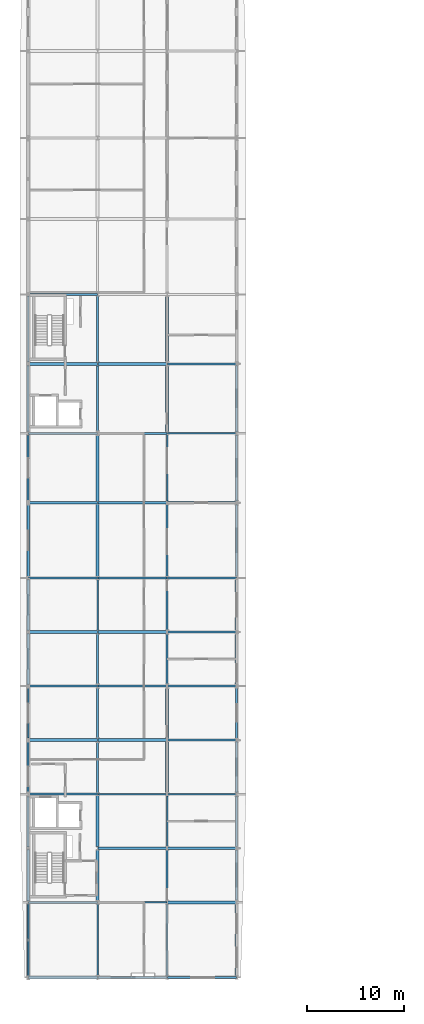
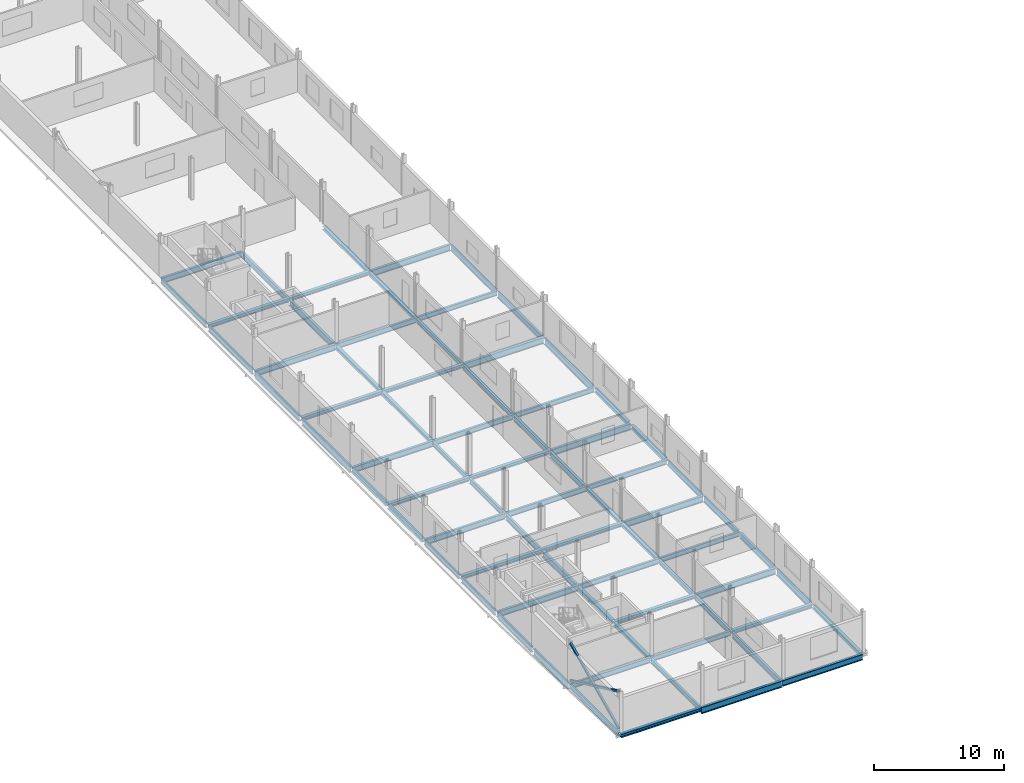
# One storey, part 9 of 30: 76 beams, 3 members.
"""IFC4 building model written with IfcOpenShell, lengths in metres."""

from ifc_helpers import new_model, si_unit, direction, frame, origin, origin_2d, place, context, subcontext, project, spatial, hollow_rectangle, i_section, extrude, material, material_profile, profile_set, type_object, element, save


model = new_model("IFC4")

# Units and contexts
model_context = context("Model", 3, precision=1e-05, world=origin(), true_north=direction((0.0, 1.0)))
body_context = subcontext(model_context, "Body", "Model", "MODEL_VIEW")
ifc_project = project(units=[si_unit("LENGTHUNIT", "METRE"), si_unit("AREAUNIT", "SQUARE_METRE"), si_unit("VOLUMEUNIT", "CUBIC_METRE"), si_unit("PLANEANGLEUNIT", "RADIAN"), si_unit("MASSUNIT", "GRAM", prefix="KILO")], contexts=[model_context])

# Site, building, storey
site_placement = place(None, origin())
site = spatial("IfcSite", under=ifc_project, at=site_placement, CompositionType="ELEMENT")
building_placement = place(site_placement, origin())
building = spatial("IfcBuilding", under=site, at=building_placement, Name="Vinh Khe Railworks Police Headquarters", CompositionType="ELEMENT")
storey_placement = place(building_placement, frame((0.0, 0.0, 21.0)))
storey = spatial("IfcBuildingStorey", under=building, at=storey_placement, Name="L05", CompositionType="ELEMENT", Elevation=21.0)

# Members
ifc_material = material(Name="Steel S355JR", Category="steel")
ifc_material_profile_1 = material_profile(ifc_material, hollow_rectangle(XDim=0.179931640625, YDim=0.179931640625, WallThickness=0.010009765625, at=origin_2d()), Name="SHS 180x180x10")
ifc_profile_set_1 = profile_set([ifc_material_profile_1], Name="Steel S355JR")
member_type = type_object("IfcMemberType", Name="Concentric Brace SHS 180x180x10", PredefinedType="BRACE", material=ifc_profile_set_1)
member_placement = place(storey_placement, frame((0.60009765625, 17.580078125, 0.199951171875), z_axis=(0.0, 0.905312283981, 0.424746593244), x_axis=(-1.0, 0.0, 0.0)))
element("IfcMember", 1, at=member_placement, inside=storey, type_object=member_type, Name="Continuous Concentric Brace MEM-BR-L05-BR-03-016", PredefinedType="BRACE", context=body_context, shape_type="SweptSolid", body=[
    extrude(hollow_rectangle(XDim=0.179931640625, YDim=0.179931640625, WallThickness=0.010009765625, at=origin_2d()), origin(), (0.0, 0.0, 1.0), 8.240234375),
])
for number, where, z_axis, x_axis, name in (
    (2, (0.60009765625, 17.580078125, 3.699951171875), (0.0, 0.905316889598, -0.424736776615), (-1.0, 0.0, 0.0), "Split X-Brace Segment MEM-BR-L05-BR-03-017 (2A)"),
    (3, (0.60009765625, 21.394775390625, 1.91015625), (0.0, 0.905316889598, -0.424736776615), (-1.0, 0.0, 0.0), "Split X-Brace Segment MEM-BR-L05-BR-03-018 (2B)"),
):
    element("IfcMember", number, at=place(storey_placement, frame(where, z_axis=z_axis, x_axis=x_axis)), inside=storey, type_object=member_type, Name=name, PredefinedType="BRACE", context=body_context, shape_type="SweptSolid", body=[
        extrude(hollow_rectangle(XDim=0.179931640625, YDim=0.179931640625, WallThickness=0.010009765625, at=origin_2d()), origin(), (0.0, 0.0, 1.0), 4.026611328125),
    ])

# Beams
ifc_material_profile_2 = material_profile(ifc_material, i_section(OverallWidth=0.300048828125, OverallDepth=0.330078125, WebThickness=0.009521484375, FlangeThickness=0.0166015625, FilletRadius=0.027099609375, at=origin_2d()), Name="HEA 340")
ifc_profile_set_2 = profile_set([ifc_material_profile_2], Name="Steel S355JR")
beam_type_1 = type_object("IfcBeamType", Name="Steel Girder HEA 340", PredefinedType="BEAM", material=ifc_profile_set_2)
for number, where, z_axis, x_axis, name in (
    (4, (0.6201171875, 17.39990234375, -0.364990234375), (1.0, 0.0, 0.0), (0.0, 1.0, 0.0), "Girder BM-L05-EW-SB-16-1496"),
    (5, (7.820068359375, 30.800048828125, -0.364990234375), (1.0, 0.0, 0.0), (0.0, 1.0, 0.0), "Girder BM-L05-EW-SB-16-1502"),
    (6, (7.820068359375, 42.0, -0.364990234375), (1.0, 0.0, 0.0), (0.0, 1.0, 0.0), "Girder BM-L05-EW-SB-16-1508"),
    (7, (7.820068359375, 53.199951171875, -0.364990234375), (1.0, 0.0, 0.0), (0.0, 1.0, 0.0), "Girder BM-L05-EW-SB-16-1514"),
    (8, (7.820068359375, 66.60009765625, -0.364990234375), (1.0, 0.0, 0.0), (0.0, 1.0, 0.0), "Girder BM-L05-EW-SB-16-1520"),
    (9, (7.820068359375, 81.0, -0.364990234375), (1.0, 0.0, 0.0), (0.0, 1.0, 0.0), "Girder BM-L05-EW-SB-16-1526"),
):
    element("IfcBeam", number, at=place(storey_placement, frame(where, z_axis=z_axis, x_axis=x_axis)), inside=storey, type_object=beam_type_1, Name=name, PredefinedType="BEAM", context=body_context, shape_type="SweptSolid", body=[
        extrude(i_section(OverallWidth=0.300048828125, OverallDepth=0.330078125, WebThickness=0.009521484375, FlangeThickness=0.0166015625, FilletRadius=0.027099609375, at=origin_2d()), origin(), (0.0, 0.0, 1.0), 7.159912109375),
    ])
beam_1_placement = place(storey_placement, frame((0.60009765625, 17.580078125, -0.364990234375), z_axis=(0.0, 1.0, 0.0), x_axis=(-1.0, 0.0, 0.0)))
element("IfcBeam", 10, at=beam_1_placement, inside=storey, type_object=beam_type_1, Name="Girder BM-L05-NS-SB-16-1574", PredefinedType="BEAM", context=body_context, shape_type="SweptSolid", body=[
    extrude(i_section(OverallWidth=0.300048828125, OverallDepth=0.330078125, WebThickness=0.009521484375, FlangeThickness=0.0166015625, FilletRadius=0.027099609375, at=origin_2d()), origin(), (0.0, 0.0, 1.0), 7.4599609375),
])
beam_2_placement = place(storey_placement, frame((0.60009765625, 53.360107421875, -0.364990234375), z_axis=(0.0, 1.0, 0.0), x_axis=(-1.0, 0.0, 0.0)))
element("IfcBeam", 11, at=beam_2_placement, inside=storey, type_object=beam_type_1, Name="Girder BM-L05-NS-SB-16-1580", PredefinedType="BEAM", context=body_context, shape_type="SweptSolid", body=[
    extrude(i_section(OverallWidth=0.300048828125, OverallDepth=0.330078125, WebThickness=0.009521484375, FlangeThickness=0.0166015625, FilletRadius=0.027099609375, at=origin_2d()), origin(), (0.0, 0.0, 1.0), 5.289794921875),
])
beam_3_placement = place(storey_placement, frame((7.800048828125, 30.9599609375, -0.364990234375), z_axis=(0.0, 1.0, 0.0), x_axis=(-1.0, 0.0, 0.0)))
element("IfcBeam", 12, at=beam_3_placement, inside=storey, type_object=beam_type_1, Name="Girder BM-L05-NS-SB-16-1592", PredefinedType="BEAM", context=body_context, shape_type="SweptSolid", body=[
    extrude(i_section(OverallWidth=0.300048828125, OverallDepth=0.330078125, WebThickness=0.009521484375, FlangeThickness=0.0166015625, FilletRadius=0.027099609375, at=origin_2d()), origin(), (0.0, 0.0, 1.0), 5.2900390625),
])
beam_4_placement = place(storey_placement, frame((7.800048828125, 66.75, -0.364990234375), z_axis=(0.0, 1.0, 0.0), x_axis=(-1.0, 0.0, 0.0)))
element("IfcBeam", 13, at=beam_4_placement, inside=storey, type_object=beam_type_1, Name="Girder BM-L05-NS-SB-16-1598", PredefinedType="BEAM", context=body_context, shape_type="SweptSolid", body=[
    extrude(i_section(OverallWidth=0.300048828125, OverallDepth=0.330078125, WebThickness=0.009521484375, FlangeThickness=0.0166015625, FilletRadius=0.027099609375, at=origin_2d()), origin(), (0.0, 0.0, 1.0), 6.820068359375),
])
beam_5_placement = place(storey_placement, frame((15.0, 42.14990234375, -0.364990234375), z_axis=(0.0, 1.0, 0.0), x_axis=(-1.0, 0.0, 0.0)))
element("IfcBeam", 14, at=beam_5_placement, inside=storey, type_object=beam_type_1, Name="Girder BM-L05-NS-SB-16-1610", PredefinedType="BEAM", context=body_context, shape_type="SweptSolid", body=[
    extrude(i_section(OverallWidth=0.300048828125, OverallDepth=0.330078125, WebThickness=0.009521484375, FlangeThickness=0.0166015625, FilletRadius=0.027099609375, at=origin_2d()), origin(), (0.0, 0.0, 1.0), 5.22021484375),
])
beam_6_placement = place(storey_placement, frame((15.0, 81.22998046875, -0.364990234375), z_axis=(0.0, 1.0, 0.0), x_axis=(-1.0, 0.0, 0.0)))
element("IfcBeam", 15, at=beam_6_placement, inside=storey, type_object=beam_type_1, Name="Girder BM-L05-NS-SB-16-1616", PredefinedType="BEAM", context=body_context, shape_type="SweptSolid", body=[
    extrude(i_section(OverallWidth=0.300048828125, OverallDepth=0.330078125, WebThickness=0.009521484375, FlangeThickness=0.0166015625, FilletRadius=0.027099609375, at=origin_2d()), origin(), (0.0, 0.0, 1.0), 6.76513671875),
])
beam_7_placement = place(storey_placement, frame((22.199951171875, 17.550048828125, -0.364990234375), z_axis=(0.0, 1.0, 0.0), x_axis=(-1.0, 0.0, 0.0)))
element("IfcBeam", 16, at=beam_7_placement, inside=storey, type_object=beam_type_1, Name="Girder BM-L05-NS-SB-16-1622", PredefinedType="BEAM", context=body_context, shape_type="SweptSolid", body=[
    extrude(i_section(OverallWidth=0.300048828125, OverallDepth=0.330078125, WebThickness=0.009521484375, FlangeThickness=0.0166015625, FilletRadius=0.027099609375, at=origin_2d()), origin(), (0.0, 0.0, 1.0), 7.419921875),
])
beam_8_placement = place(storey_placement, frame((22.199951171875, 53.429931640625, -0.364990234375), z_axis=(0.0, 1.0, 0.0), x_axis=(-1.0, 0.0, 0.0)))
element("IfcBeam", 17, at=beam_8_placement, inside=storey, type_object=beam_type_1, Name="Girder BM-L05-NS-SB-16-1628", PredefinedType="BEAM", context=body_context, shape_type="SweptSolid", body=[
    extrude(i_section(OverallWidth=0.300048828125, OverallDepth=0.330078125, WebThickness=0.009521484375, FlangeThickness=0.0166015625, FilletRadius=0.027099609375, at=origin_2d()), origin(), (0.0, 0.0, 1.0), 5.1650390625),
])
ifc_material_profile_3 = material_profile(ifc_material, i_section(OverallWidth=0.300048828125, OverallDepth=0.35009765625, WebThickness=0.010009765625, FlangeThickness=0.017578125, FilletRadius=0.027099609375, at=origin_2d()), Name="HEA 360")
ifc_profile_set_3 = profile_set([ifc_material_profile_3], Name="Steel S355JR")
beam_type_2 = type_object("IfcBeamType", Name="Steel Girder HEA 360", PredefinedType="BEAM", material=ifc_profile_set_3)
for number, where, z_axis, x_axis, name in (
    (18, (15.02001953125, 25.199951171875, -0.375), (1.0, 0.0, 0.0), (0.0, 1.0, 0.0), "Girder BM-L05-EW-SB-15-1501"),
    (19, (0.6201171875, 42.0, -0.375), (1.0, 0.0, 0.0), (0.0, 1.0, 0.0), "Girder BM-L05-EW-SB-15-1507"),
    (20, (0.6201171875, 53.199951171875, -0.375), (1.0, 0.0, 0.0), (0.0, 1.0, 0.0), "Girder BM-L05-EW-SB-15-1513"),
    (21, (0.6201171875, 66.60009765625, -0.375), (1.0, 0.0, 0.0), (0.0, 1.0, 0.0), "Girder BM-L05-EW-SB-15-1519"),
    (22, (0.6201171875, 81.0, -0.375), (1.0, 0.0, 0.0), (0.0, 1.0, 0.0), "Girder BM-L05-EW-SB-15-1525"),
):
    element("IfcBeam", number, at=place(storey_placement, frame(where, z_axis=z_axis, x_axis=x_axis)), inside=storey, type_object=beam_type_2, Name=name, PredefinedType="BEAM", context=body_context, shape_type="SweptSolid", body=[
        extrude(i_section(OverallWidth=0.300048828125, OverallDepth=0.35009765625, WebThickness=0.010009765625, FlangeThickness=0.017578125, FilletRadius=0.027099609375, at=origin_2d()), origin(), (0.0, 0.0, 1.0), 7.159912109375),
    ])
for number, where, z_axis, x_axis, name in (
    (23, (0.60009765625, 47.780029296875, -0.375), (0.0, 1.0, 0.0), (-1.0, 0.0, 0.0), "Girder BM-L05-NS-SB-15-1579"),
    (24, (7.800048828125, 25.3798828125, -0.375), (0.0, 1.0, 0.0), (-1.0, 0.0, 0.0), "Girder BM-L05-NS-SB-15-1591"),
):
    element("IfcBeam", number, at=place(storey_placement, frame(where, z_axis=z_axis, x_axis=x_axis)), inside=storey, type_object=beam_type_2, Name=name, PredefinedType="BEAM", context=body_context, shape_type="SweptSolid", body=[
        extrude(i_section(OverallWidth=0.300048828125, OverallDepth=0.35009765625, WebThickness=0.010009765625, FlangeThickness=0.017578125, FilletRadius=0.027099609375, at=origin_2d()), origin(), (0.0, 0.0, 1.0), 5.260009765625),
    ])
beam_9_placement = place(storey_placement, frame((7.800048828125, 58.9599609375, -0.375), z_axis=(0.0, 1.0, 0.0), x_axis=(-1.0, 0.0, 0.0)))
element("IfcBeam", 25, at=beam_9_placement, inside=storey, type_object=beam_type_2, Name="Girder BM-L05-NS-SB-15-1597", PredefinedType="BEAM", context=body_context, shape_type="SweptSolid", body=[
    extrude(i_section(OverallWidth=0.300048828125, OverallDepth=0.35009765625, WebThickness=0.010009765625, FlangeThickness=0.017578125, FilletRadius=0.027099609375, at=origin_2d()), origin(), (0.0, 0.0, 1.0), 7.489990234375),
])
beam_10_placement = place(storey_placement, frame((15.0, 36.56005859375, -0.375), z_axis=(0.0, 1.0, 0.0), x_axis=(-1.0, 0.0, 0.0)))
element("IfcBeam", 26, at=beam_10_placement, inside=storey, type_object=beam_type_2, Name="Girder BM-L05-NS-SB-15-1609", PredefinedType="BEAM", context=body_context, shape_type="SweptSolid", body=[
    extrude(i_section(OverallWidth=0.300048828125, OverallDepth=0.35009765625, WebThickness=0.010009765625, FlangeThickness=0.017578125, FilletRadius=0.027099609375, at=origin_2d()), origin(), (0.0, 0.0, 1.0), 5.2900390625),
])
beam_11_placement = place(storey_placement, frame((15.0, 73.949951171875, -0.375), z_axis=(0.0, 1.0, 0.0), x_axis=(-1.0, 0.0, 0.0)))
element("IfcBeam", 27, at=beam_11_placement, inside=storey, type_object=beam_type_2, Name="Girder BM-L05-NS-SB-15-1615", PredefinedType="BEAM", context=body_context, shape_type="SweptSolid", body=[
    extrude(i_section(OverallWidth=0.300048828125, OverallDepth=0.35009765625, WebThickness=0.010009765625, FlangeThickness=0.017578125, FilletRadius=0.027099609375, at=origin_2d()), origin(), (0.0, 0.0, 1.0), 6.820068359375),
])
beam_12_placement = place(storey_placement, frame((22.199951171875, 47.75, -0.375), z_axis=(0.0, 1.0, 0.0), x_axis=(-1.0, 0.0, 0.0)))
element("IfcBeam", 28, at=beam_12_placement, inside=storey, type_object=beam_type_2, Name="Girder BM-L05-NS-SB-15-1627", PredefinedType="BEAM", context=body_context, shape_type="SweptSolid", body=[
    extrude(i_section(OverallWidth=0.300048828125, OverallDepth=0.35009765625, WebThickness=0.010009765625, FlangeThickness=0.017578125, FilletRadius=0.027099609375, at=origin_2d()), origin(), (0.0, 0.0, 1.0), 5.219970703125),
])
ifc_material_profile_4 = material_profile(ifc_material, i_section(OverallWidth=0.18994140625, OverallDepth=0.449951171875, WebThickness=0.009521484375, FlangeThickness=0.0146484375, FilletRadius=0.02099609375, at=origin_2d()), Name="IPE 450")
ifc_profile_set_4 = profile_set([ifc_material_profile_4], Name="Steel S355JR")
beam_type_3 = type_object("IfcBeamType", Name="Steel Girder IPE 450", PredefinedType="BEAM", material=ifc_profile_set_4)
for number, where, z_axis, x_axis, name in (
    (29, (7.820068359375, 25.199951171875, -0.425048828125), (1.0, 0.0, 0.0), (0.0, 1.0, 0.0), "Girder BM-L05-EW-SB-20-1500"),
    (30, (15.02001953125, 36.39990234375, -0.425048828125), (1.0, 0.0, 0.0), (0.0, 1.0, 0.0), "Girder BM-L05-EW-SB-20-1506"),
    (31, (15.02001953125, 47.60009765625, -0.425048828125), (1.0, 0.0, 0.0), (0.0, 1.0, 0.0), "Girder BM-L05-EW-SB-20-1512"),
    (32, (15.02001953125, 58.800048828125, -0.425048828125), (1.0, 0.0, 0.0), (0.0, 1.0, 0.0), "Girder BM-L05-EW-SB-20-1518"),
    (33, (15.02001953125, 73.800048828125, -0.425048828125), (1.0, 0.0, 0.0), (0.0, 1.0, 0.0), "Girder BM-L05-EW-SB-20-1524"),
):
    element("IfcBeam", number, at=place(storey_placement, frame(where, z_axis=z_axis, x_axis=x_axis)), inside=storey, type_object=beam_type_3, Name=name, PredefinedType="BEAM", context=body_context, shape_type="SweptSolid", body=[
        extrude(i_section(OverallWidth=0.18994140625, OverallDepth=0.449951171875, WebThickness=0.009521484375, FlangeThickness=0.0146484375, FilletRadius=0.02099609375, at=origin_2d()), origin(), (0.0, 0.0, 1.0), 7.159912109375),
    ])
beam_13_placement = place(storey_placement, frame((0.60009765625, 42.205078125, -0.425048828125), z_axis=(0.0, 1.0, 0.0), x_axis=(-1.0, 0.0, 0.0)))
element("IfcBeam", 34, at=beam_13_placement, inside=storey, type_object=beam_type_3, Name="Girder BM-L05-NS-SB-20-1578", PredefinedType="BEAM", context=body_context, shape_type="SweptSolid", body=[
    extrude(i_section(OverallWidth=0.18994140625, OverallDepth=0.449951171875, WebThickness=0.009521484375, FlangeThickness=0.0146484375, FilletRadius=0.02099609375, at=origin_2d()), origin(), (0.0, 0.0, 1.0), 5.21484375),
])
beam_14_placement = place(storey_placement, frame((0.60009765625, 81.179931640625, -0.425048828125), z_axis=(0.0, 1.0, 0.0), x_axis=(-1.0, 0.0, 0.0)))
element("IfcBeam", 35, at=beam_14_placement, inside=storey, type_object=beam_type_3, Name="Girder BM-L05-NS-SB-20-1584", PredefinedType="BEAM", context=body_context, shape_type="SweptSolid", body=[
    extrude(i_section(OverallWidth=0.18994140625, OverallDepth=0.449951171875, WebThickness=0.009521484375, FlangeThickness=0.0146484375, FilletRadius=0.02099609375, at=origin_2d()), origin(), (0.0, 0.0, 1.0), 6.860107421875),
])
beam_15_placement = place(storey_placement, frame((7.800048828125, 17.60498046875, -0.425048828125), z_axis=(0.0, 1.0, 0.0), x_axis=(-1.0, 0.0, 0.0)))
element("IfcBeam", 36, at=beam_15_placement, inside=storey, type_object=beam_type_3, Name="Girder BM-L05-NS-SB-20-1590", PredefinedType="BEAM", context=body_context, shape_type="SweptSolid", body=[
    extrude(i_section(OverallWidth=0.18994140625, OverallDepth=0.449951171875, WebThickness=0.009521484375, FlangeThickness=0.0146484375, FilletRadius=0.02099609375, at=origin_2d()), origin(), (0.0, 0.0, 1.0), 7.4150390625),
])
for number, where, z_axis, x_axis, name in (
    (37, (7.800048828125, 53.3798828125, -0.425048828125), (0.0, 1.0, 0.0), (-1.0, 0.0, 0.0), "Girder BM-L05-NS-SB-20-1596"),
    (38, (15.0, 30.97998046875, -0.425048828125), (0.0, 1.0, 0.0), (-1.0, 0.0, 0.0), "Girder BM-L05-NS-SB-20-1608"),
):
    element("IfcBeam", number, at=place(storey_placement, frame(where, z_axis=z_axis, x_axis=x_axis)), inside=storey, type_object=beam_type_3, Name=name, PredefinedType="BEAM", context=body_context, shape_type="SweptSolid", body=[
        extrude(i_section(OverallWidth=0.18994140625, OverallDepth=0.449951171875, WebThickness=0.009521484375, FlangeThickness=0.0146484375, FilletRadius=0.02099609375, at=origin_2d()), origin(), (0.0, 0.0, 1.0), 5.260009765625),
    ])
beam_16_placement = place(storey_placement, frame((15.0, 66.760009765625, -0.425048828125), z_axis=(0.0, 1.0, 0.0), x_axis=(-1.0, 0.0, 0.0)))
element("IfcBeam", 39, at=beam_16_placement, inside=storey, type_object=beam_type_3, Name="Girder BM-L05-NS-SB-20-1614", PredefinedType="BEAM", context=body_context, shape_type="SweptSolid", body=[
    extrude(i_section(OverallWidth=0.18994140625, OverallDepth=0.449951171875, WebThickness=0.009521484375, FlangeThickness=0.0146484375, FilletRadius=0.02099609375, at=origin_2d()), origin(), (0.0, 0.0, 1.0), 6.889892578125),
])
beam_17_placement = place(storey_placement, frame((22.199951171875, 42.159912109375, -0.425048828125), z_axis=(0.0, 1.0, 0.0), x_axis=(-1.0, 0.0, 0.0)))
element("IfcBeam", 40, at=beam_17_placement, inside=storey, type_object=beam_type_3, Name="Girder BM-L05-NS-SB-20-1626", PredefinedType="BEAM", context=body_context, shape_type="SweptSolid", body=[
    extrude(i_section(OverallWidth=0.18994140625, OverallDepth=0.449951171875, WebThickness=0.009521484375, FlangeThickness=0.0146484375, FilletRadius=0.02099609375, at=origin_2d()), origin(), (0.0, 0.0, 1.0), 5.2900390625),
])
ifc_material_profile_5 = material_profile(ifc_material, i_section(OverallWidth=0.199951171875, OverallDepth=0.5, WebThickness=0.01025390625, FlangeThickness=0.01611328125, FilletRadius=0.02099609375, at=origin_2d()), Name="IPE 500")
ifc_profile_set_5 = profile_set([ifc_material_profile_5], Name="Steel S355JR")
beam_type_4 = type_object("IfcBeamType", Name="Steel Girder IPE 500", PredefinedType="BEAM", material=ifc_profile_set_5)
for number, where, z_axis, x_axis, name in (
    (41, (0.6201171875, 25.199951171875, -0.449951171875), (1.0, 0.0, 0.0), (0.0, 1.0, 0.0), "Girder BM-L05-EW-SB-19-1499"),
    (42, (7.820068359375, 36.39990234375, -0.449951171875), (1.0, 0.0, 0.0), (0.0, 1.0, 0.0), "Girder BM-L05-EW-SB-19-1505"),
    (43, (7.820068359375, 47.60009765625, -0.449951171875), (1.0, 0.0, 0.0), (0.0, 1.0, 0.0), "Girder BM-L05-EW-SB-19-1511"),
    (44, (7.820068359375, 58.800048828125, -0.449951171875), (1.0, 0.0, 0.0), (0.0, 1.0, 0.0), "Girder BM-L05-EW-SB-19-1517"),
    (45, (7.820068359375, 73.800048828125, -0.449951171875), (1.0, 0.0, 0.0), (0.0, 1.0, 0.0), "Girder BM-L05-EW-SB-19-1523"),
):
    element("IfcBeam", number, at=place(storey_placement, frame(where, z_axis=z_axis, x_axis=x_axis)), inside=storey, type_object=beam_type_4, Name=name, PredefinedType="BEAM", context=body_context, shape_type="SweptSolid", body=[
        extrude(i_section(OverallWidth=0.199951171875, OverallDepth=0.5, WebThickness=0.01025390625, FlangeThickness=0.01611328125, FilletRadius=0.02099609375, at=origin_2d()), origin(), (0.0, 0.0, 1.0), 7.159912109375),
    ])
beam_18_placement = place(storey_placement, frame((0.60009765625, 36.6298828125, -0.449951171875), z_axis=(0.0, 1.0, 0.0), x_axis=(-1.0, 0.0, 0.0)))
element("IfcBeam", 46, at=beam_18_placement, inside=storey, type_object=beam_type_4, Name="Girder BM-L05-NS-SB-19-1577", PredefinedType="BEAM", context=body_context, shape_type="SweptSolid", body=[
    extrude(i_section(OverallWidth=0.199951171875, OverallDepth=0.5, WebThickness=0.01025390625, FlangeThickness=0.01611328125, FilletRadius=0.02099609375, at=origin_2d()), origin(), (0.0, 0.0, 1.0), 5.1650390625),
])
beam_19_placement = place(storey_placement, frame((0.60009765625, 74.0048828125, -0.449951171875), z_axis=(0.0, 1.0, 0.0), x_axis=(-1.0, 0.0, 0.0)))
element("IfcBeam", 47, at=beam_19_placement, inside=storey, type_object=beam_type_4, Name="Girder BM-L05-NS-SB-19-1583", PredefinedType="BEAM", context=body_context, shape_type="SweptSolid", body=[
    extrude(i_section(OverallWidth=0.199951171875, OverallDepth=0.5, WebThickness=0.01025390625, FlangeThickness=0.01611328125, FilletRadius=0.02099609375, at=origin_2d()), origin(), (0.0, 0.0, 1.0), 6.815185546875),
])
for number, where, z_axis, x_axis, name in (
    (48, (7.800048828125, 47.804931640625, -0.449951171875), (0.0, 1.0, 0.0), (-1.0, 0.0, 0.0), "Girder BM-L05-NS-SB-19-1595"),
    (49, (15.0, 25.405029296875, -0.449951171875), (0.0, 1.0, 0.0), (-1.0, 0.0, 0.0), "Girder BM-L05-NS-SB-19-1607"),
):
    element("IfcBeam", number, at=place(storey_placement, frame(where, z_axis=z_axis, x_axis=x_axis)), inside=storey, type_object=beam_type_4, Name=name, PredefinedType="BEAM", context=body_context, shape_type="SweptSolid", body=[
        extrude(i_section(OverallWidth=0.199951171875, OverallDepth=0.5, WebThickness=0.01025390625, FlangeThickness=0.01611328125, FilletRadius=0.02099609375, at=origin_2d()), origin(), (0.0, 0.0, 1.0), 5.215087890625),
    ])
beam_20_placement = place(storey_placement, frame((15.0, 58.97998046875, -0.449951171875), z_axis=(0.0, 1.0, 0.0), x_axis=(-1.0, 0.0, 0.0)))
element("IfcBeam", 50, at=beam_20_placement, inside=storey, type_object=beam_type_4, Name="Girder BM-L05-NS-SB-19-1613", PredefinedType="BEAM", context=body_context, shape_type="SweptSolid", body=[
    extrude(i_section(OverallWidth=0.199951171875, OverallDepth=0.5, WebThickness=0.01025390625, FlangeThickness=0.01611328125, FilletRadius=0.02099609375, at=origin_2d()), origin(), (0.0, 0.0, 1.0), 7.4599609375),
])
beam_21_placement = place(storey_placement, frame((22.199951171875, 36.580078125, -0.449951171875), z_axis=(0.0, 1.0, 0.0), x_axis=(-1.0, 0.0, 0.0)))
element("IfcBeam", 51, at=beam_21_placement, inside=storey, type_object=beam_type_4, Name="Girder BM-L05-NS-SB-19-1625", PredefinedType="BEAM", context=body_context, shape_type="SweptSolid", body=[
    extrude(i_section(OverallWidth=0.199951171875, OverallDepth=0.5, WebThickness=0.01025390625, FlangeThickness=0.01611328125, FilletRadius=0.02099609375, at=origin_2d()), origin(), (0.0, 0.0, 1.0), 5.260009765625),
])
beam_22_placement = place(storey_placement, frame((22.199951171875, 73.9599609375, -0.449951171875), z_axis=(0.0, 1.0, 0.0), x_axis=(-1.0, 0.0, 0.0)))
element("IfcBeam", 52, at=beam_22_placement, inside=storey, type_object=beam_type_4, Name="Girder BM-L05-NS-SB-19-1631", PredefinedType="BEAM", context=body_context, shape_type="SweptSolid", body=[
    extrude(i_section(OverallWidth=0.199951171875, OverallDepth=0.5, WebThickness=0.01025390625, FlangeThickness=0.01611328125, FilletRadius=0.02099609375, at=origin_2d()), origin(), (0.0, 0.0, 1.0), 6.89013671875),
])
ifc_material_profile_6 = material_profile(ifc_material, i_section(OverallWidth=0.2099609375, OverallDepth=0.550048828125, WebThickness=0.010986328125, FlangeThickness=0.01708984375, FilletRadius=0.02392578125, at=origin_2d()), Name="IPE 550")
ifc_profile_set_6 = profile_set([ifc_material_profile_6], Name="Steel S355JR")
beam_type_5 = type_object("IfcBeamType", Name="Steel Girder IPE 550", PredefinedType="BEAM", material=ifc_profile_set_6)
for number, where, z_axis, x_axis, name in (
    (53, (15.02001953125, 17.39990234375, -0.47509765625), (1.0, 0.0, 0.0), (0.0, 1.0, 0.0), "Girder BM-L05-EW-SB-18-1498"),
    (54, (0.6201171875, 36.39990234375, -0.47509765625), (1.0, 0.0, 0.0), (0.0, 1.0, 0.0), "Girder BM-L05-EW-SB-18-1504"),
    (55, (0.6201171875, 47.60009765625, -0.47509765625), (1.0, 0.0, 0.0), (0.0, 1.0, 0.0), "Girder BM-L05-EW-SB-18-1510"),
    (56, (0.6201171875, 58.800048828125, -0.47509765625), (1.0, 0.0, 0.0), (0.0, 1.0, 0.0), "Girder BM-L05-EW-SB-18-1516"),
    (57, (0.6201171875, 73.800048828125, -0.47509765625), (1.0, 0.0, 0.0), (0.0, 1.0, 0.0), "Girder BM-L05-EW-SB-18-1522"),
    (58, (0.6201171875, 88.199951171875, -0.47509765625), (1.0, 0.0, 0.0), (0.0, 1.0, 0.0), "Girder BM-L05-EW-SB-18-1528"),
):
    element("IfcBeam", number, at=place(storey_placement, frame(where, z_axis=z_axis, x_axis=x_axis)), inside=storey, type_object=beam_type_5, Name=name, PredefinedType="BEAM", context=body_context, shape_type="SweptSolid", body=[
        extrude(i_section(OverallWidth=0.2099609375, OverallDepth=0.550048828125, WebThickness=0.010986328125, FlangeThickness=0.01708984375, FilletRadius=0.02392578125, at=origin_2d()), origin(), (0.0, 0.0, 1.0), 7.159912109375),
    ])
beam_23_placement = place(storey_placement, frame((0.60009765625, 30.949951171875, -0.47509765625), z_axis=(0.0, 1.0, 0.0), x_axis=(-1.0, 0.0, 0.0)))
element("IfcBeam", 59, at=beam_23_placement, inside=storey, type_object=beam_type_5, Name="Girder BM-L05-NS-SB-18-1576", PredefinedType="BEAM", context=body_context, shape_type="SweptSolid", body=[
    extrude(i_section(OverallWidth=0.2099609375, OverallDepth=0.550048828125, WebThickness=0.010986328125, FlangeThickness=0.01708984375, FilletRadius=0.02392578125, at=origin_2d()), origin(), (0.0, 0.0, 1.0), 5.219970703125),
])
beam_24_placement = place(storey_placement, frame((0.60009765625, 66.830078125, -0.47509765625), z_axis=(0.0, 1.0, 0.0), x_axis=(-1.0, 0.0, 0.0)))
element("IfcBeam", 60, at=beam_24_placement, inside=storey, type_object=beam_type_5, Name="Girder BM-L05-NS-SB-18-1582", PredefinedType="BEAM", context=body_context, shape_type="SweptSolid", body=[
    extrude(i_section(OverallWidth=0.2099609375, OverallDepth=0.550048828125, WebThickness=0.010986328125, FlangeThickness=0.01708984375, FilletRadius=0.02392578125, at=origin_2d()), origin(), (0.0, 0.0, 1.0), 6.764892578125),
])
beam_25_placement = place(storey_placement, frame((7.800048828125, 42.22998046875, -0.47509765625), z_axis=(0.0, 1.0, 0.0), x_axis=(-1.0, 0.0, 0.0)))
element("IfcBeam", 61, at=beam_25_placement, inside=storey, type_object=beam_type_5, Name="Girder BM-L05-NS-SB-18-1594", PredefinedType="BEAM", context=body_context, shape_type="SweptSolid", body=[
    extrude(i_section(OverallWidth=0.2099609375, OverallDepth=0.550048828125, WebThickness=0.010986328125, FlangeThickness=0.01708984375, FilletRadius=0.02392578125, at=origin_2d()), origin(), (0.0, 0.0, 1.0), 5.1650390625),
])
beam_26_placement = place(storey_placement, frame((7.800048828125, 81.205078125, -0.47509765625), z_axis=(0.0, 1.0, 0.0), x_axis=(-1.0, 0.0, 0.0)))
element("IfcBeam", 62, at=beam_26_placement, inside=storey, type_object=beam_type_5, Name="Girder BM-L05-NS-SB-18-1600", PredefinedType="BEAM", context=body_context, shape_type="SweptSolid", body=[
    extrude(i_section(OverallWidth=0.2099609375, OverallDepth=0.550048828125, WebThickness=0.010986328125, FlangeThickness=0.01708984375, FilletRadius=0.02392578125, at=origin_2d()), origin(), (0.0, 0.0, 1.0), 6.81494140625),
])
beam_27_placement = place(storey_placement, frame((15.0, 17.6298828125, -0.47509765625), z_axis=(0.0, 1.0, 0.0), x_axis=(-1.0, 0.0, 0.0)))
element("IfcBeam", 63, at=beam_27_placement, inside=storey, type_object=beam_type_5, Name="Girder BM-L05-NS-SB-18-1606", PredefinedType="BEAM", context=body_context, shape_type="SweptSolid", body=[
    extrude(i_section(OverallWidth=0.2099609375, OverallDepth=0.550048828125, WebThickness=0.010986328125, FlangeThickness=0.01708984375, FilletRadius=0.02392578125, at=origin_2d()), origin(), (0.0, 0.0, 1.0), 7.365234375),
])
for number, where, z_axis, x_axis, name in (
    (64, (15.0, 53.405029296875, -0.47509765625), (0.0, 1.0, 0.0), (-1.0, 0.0, 0.0), "Girder BM-L05-NS-SB-18-1612"),
    (65, (22.199951171875, 31.0048828125, -0.47509765625), (0.0, 1.0, 0.0), (-1.0, 0.0, 0.0), "Girder BM-L05-NS-SB-18-1624"),
):
    element("IfcBeam", number, at=place(storey_placement, frame(where, z_axis=z_axis, x_axis=x_axis)), inside=storey, type_object=beam_type_5, Name=name, PredefinedType="BEAM", context=body_context, shape_type="SweptSolid", body=[
        extrude(i_section(OverallWidth=0.2099609375, OverallDepth=0.550048828125, WebThickness=0.010986328125, FlangeThickness=0.01708984375, FilletRadius=0.02392578125, at=origin_2d()), origin(), (0.0, 0.0, 1.0), 5.215087890625),
    ])
beam_28_placement = place(storey_placement, frame((22.199951171875, 66.780029296875, -0.47509765625), z_axis=(0.0, 1.0, 0.0), x_axis=(-1.0, 0.0, 0.0)))
element("IfcBeam", 66, at=beam_28_placement, inside=storey, type_object=beam_type_5, Name="Girder BM-L05-NS-SB-18-1630", PredefinedType="BEAM", context=body_context, shape_type="SweptSolid", body=[
    extrude(i_section(OverallWidth=0.2099609375, OverallDepth=0.550048828125, WebThickness=0.010986328125, FlangeThickness=0.01708984375, FilletRadius=0.02392578125, at=origin_2d()), origin(), (0.0, 0.0, 1.0), 6.85986328125),
])
ifc_material_profile_7 = material_profile(ifc_material, i_section(OverallWidth=0.219970703125, OverallDepth=0.60009765625, WebThickness=0.011962890625, FlangeThickness=0.01904296875, FilletRadius=0.02392578125, at=origin_2d()), Name="IPE 600")
ifc_profile_set_7 = profile_set([ifc_material_profile_7], Name="Steel S355JR")
beam_type_6 = type_object("IfcBeamType", Name="Steel Girder IPE 600", PredefinedType="BEAM", material=ifc_profile_set_7)
for number, where, z_axis, x_axis, name in (
    (67, (7.820068359375, 17.39990234375, -0.5), (1.0, 0.0, 0.0), (0.0, 1.0, 0.0), "Girder BM-L05-EW-SB-17-1497"),
    (68, (15.02001953125, 30.800048828125, -0.5), (1.0, 0.0, 0.0), (0.0, 1.0, 0.0), "Girder BM-L05-EW-SB-17-1503"),
    (69, (15.02001953125, 42.0, -0.5), (1.0, 0.0, 0.0), (0.0, 1.0, 0.0), "Girder BM-L05-EW-SB-17-1509"),
    (70, (15.02001953125, 53.199951171875, -0.5), (1.0, 0.0, 0.0), (0.0, 1.0, 0.0), "Girder BM-L05-EW-SB-17-1515"),
    (71, (15.02001953125, 66.60009765625, -0.5), (1.0, 0.0, 0.0), (0.0, 1.0, 0.0), "Girder BM-L05-EW-SB-17-1521"),
    (72, (15.02001953125, 81.0, -0.5), (1.0, 0.0, 0.0), (0.0, 1.0, 0.0), "Girder BM-L05-EW-SB-17-1527"),
):
    element("IfcBeam", number, at=place(storey_placement, frame(where, z_axis=z_axis, x_axis=x_axis)), inside=storey, type_object=beam_type_6, Name=name, PredefinedType="BEAM", context=body_context, shape_type="SweptSolid", body=[
        extrude(i_section(OverallWidth=0.219970703125, OverallDepth=0.60009765625, WebThickness=0.011962890625, FlangeThickness=0.01904296875, FilletRadius=0.02392578125, at=origin_2d()), origin(), (0.0, 0.0, 1.0), 7.159912109375),
    ])
beam_29_placement = place(storey_placement, frame((0.60009765625, 25.360107421875, -0.5), z_axis=(0.0, 1.0, 0.0), x_axis=(-1.0, 0.0, 0.0)))
element("IfcBeam", 73, at=beam_29_placement, inside=storey, type_object=beam_type_6, Name="Girder BM-L05-NS-SB-17-1575", PredefinedType="BEAM", context=body_context, shape_type="SweptSolid", body=[
    extrude(i_section(OverallWidth=0.219970703125, OverallDepth=0.60009765625, WebThickness=0.011962890625, FlangeThickness=0.01904296875, FilletRadius=0.02392578125, at=origin_2d()), origin(), (0.0, 0.0, 1.0), 5.289794921875),
])
beam_30_placement = place(storey_placement, frame((0.60009765625, 58.949951171875, -0.5), z_axis=(0.0, 1.0, 0.0), x_axis=(-1.0, 0.0, 0.0)))
element("IfcBeam", 74, at=beam_30_placement, inside=storey, type_object=beam_type_6, Name="Girder BM-L05-NS-SB-17-1581", PredefinedType="BEAM", context=body_context, shape_type="SweptSolid", body=[
    extrude(i_section(OverallWidth=0.219970703125, OverallDepth=0.60009765625, WebThickness=0.011962890625, FlangeThickness=0.01904296875, FilletRadius=0.02392578125, at=origin_2d()), origin(), (0.0, 0.0, 1.0), 7.420166015625),
])
beam_31_placement = place(storey_placement, frame((7.800048828125, 36.550048828125, -0.5), z_axis=(0.0, 1.0, 0.0), x_axis=(-1.0, 0.0, 0.0)))
element("IfcBeam", 75, at=beam_31_placement, inside=storey, type_object=beam_type_6, Name="Girder BM-L05-NS-SB-17-1593", PredefinedType="BEAM", context=body_context, shape_type="SweptSolid", body=[
    extrude(i_section(OverallWidth=0.219970703125, OverallDepth=0.60009765625, WebThickness=0.011962890625, FlangeThickness=0.01904296875, FilletRadius=0.02392578125, at=origin_2d()), origin(), (0.0, 0.0, 1.0), 5.219970703125),
])
beam_32_placement = place(storey_placement, frame((7.800048828125, 74.030029296875, -0.5), z_axis=(0.0, 1.0, 0.0), x_axis=(-1.0, 0.0, 0.0)))
element("IfcBeam", 76, at=beam_32_placement, inside=storey, type_object=beam_type_6, Name="Girder BM-L05-NS-SB-17-1599", PredefinedType="BEAM", context=body_context, shape_type="SweptSolid", body=[
    extrude(i_section(OverallWidth=0.219970703125, OverallDepth=0.60009765625, WebThickness=0.011962890625, FlangeThickness=0.01904296875, FilletRadius=0.02392578125, at=origin_2d()), origin(), (0.0, 0.0, 1.0), 6.764892578125),
])
for number, where, z_axis, x_axis, name in (
    (77, (15.0, 47.830078125, -0.5), (0.0, 1.0, 0.0), (-1.0, 0.0, 0.0), "Girder BM-L05-NS-SB-17-1611"),
    (78, (22.199951171875, 25.429931640625, -0.5), (0.0, 1.0, 0.0), (-1.0, 0.0, 0.0), "Girder BM-L05-NS-SB-17-1623"),
):
    element("IfcBeam", number, at=place(storey_placement, frame(where, z_axis=z_axis, x_axis=x_axis)), inside=storey, type_object=beam_type_6, Name=name, PredefinedType="BEAM", context=body_context, shape_type="SweptSolid", body=[
        extrude(i_section(OverallWidth=0.219970703125, OverallDepth=0.60009765625, WebThickness=0.011962890625, FlangeThickness=0.01904296875, FilletRadius=0.02392578125, at=origin_2d()), origin(), (0.0, 0.0, 1.0), 5.1650390625),
    ])
beam_33_placement = place(storey_placement, frame((22.199951171875, 59.0048828125, -0.5), z_axis=(0.0, 1.0, 0.0), x_axis=(-1.0, 0.0, 0.0)))
element("IfcBeam", 79, at=beam_33_placement, inside=storey, type_object=beam_type_6, Name="Girder BM-L05-NS-SB-17-1629", PredefinedType="BEAM", context=body_context, shape_type="SweptSolid", body=[
    extrude(i_section(OverallWidth=0.219970703125, OverallDepth=0.60009765625, WebThickness=0.011962890625, FlangeThickness=0.01904296875, FilletRadius=0.02392578125, at=origin_2d()), origin(), (0.0, 0.0, 1.0), 7.4150390625),
])

save(model, "model.ifc")
